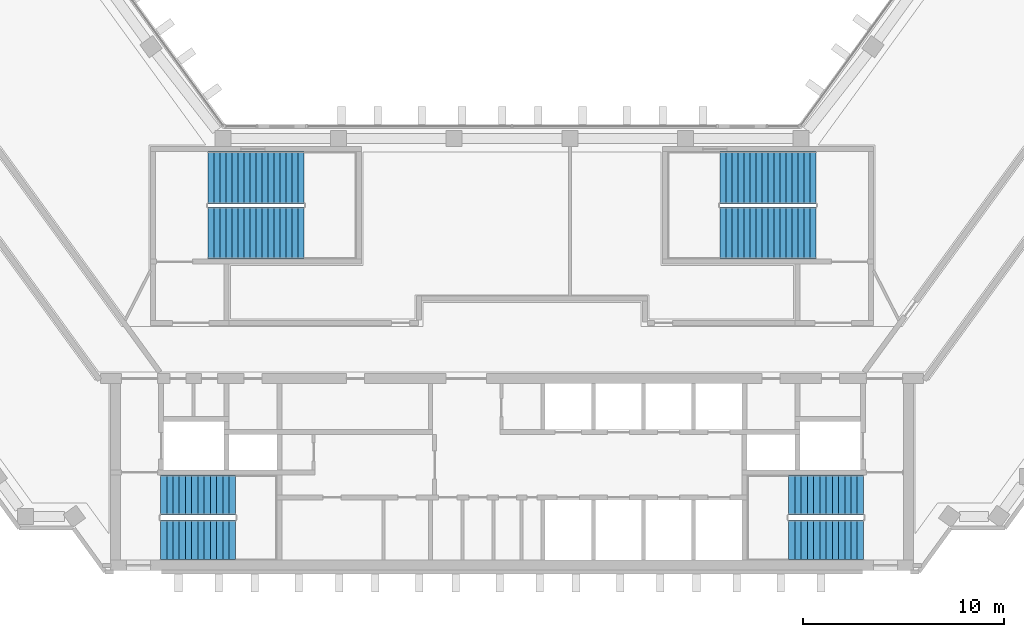
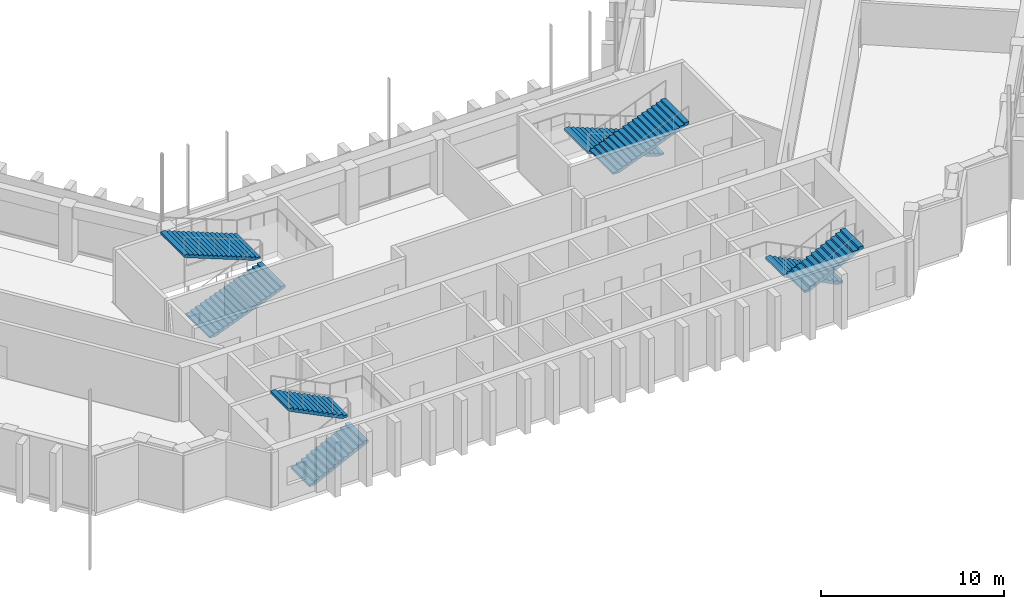
# One storey, part 11 of 13: 8 stair flights, 4 elements without a shape of their own.
"""IFC4 building model written with IfcOpenShell, lengths in metres."""

from ifc_helpers import new_model, si_unit, direction, frame, origin, place, context, subcontext, project, spatial, polyline, outline, extrude, material, type_object, element, aggregate, save


model = new_model("IFC4")

# Units and contexts
model_context = context("Model", 3, precision=1e-05, world=origin(), true_north=direction((0.0, 1.0)))
body_context = subcontext(model_context, "Body", "Model", "MODEL_VIEW")
ifc_project = project(units=[si_unit("LENGTHUNIT", "METRE"), si_unit("AREAUNIT", "SQUARE_METRE"), si_unit("VOLUMEUNIT", "CUBIC_METRE"), si_unit("PLANEANGLEUNIT", "RADIAN"), si_unit("MASSUNIT", "GRAM", prefix="KILO")], contexts=[model_context])

# Site, building, storey
site_placement = place(None, origin())
site = spatial("IfcSite", under=ifc_project, at=site_placement, CompositionType="ELEMENT")
building_placement = place(site_placement, origin())
building = spatial("IfcBuilding", under=site, at=building_placement, Name="Quipu Civic Tower", CompositionType="ELEMENT")
storey_placement = place(building_placement, frame((0.0, 0.0, 172.0)))
storey = spatial("IfcBuildingStorey", under=building, at=storey_placement, Name="L40", CompositionType="ELEMENT", Elevation=172.0)

# Stair, stair flights
ifc_material_1 = material(Name="Concrete C40/50", Category="concrete")
stair_type_1 = type_object("IfcStairType", Name="Half turn stair 2000", PredefinedType="HALF_TURN_STAIR", material=ifc_material_1)
stair_1_placement = place(storey_placement, origin())
stair_1 = element("IfcStair", 1, at=stair_1_placement, inside=storey, type_object=stair_type_1, Name="Exit stair 1", PredefinedType="HALF_TURN_STAIR")
ifc_material_2 = material(Name="Concrete C40/50", Category="concrete")
stair_flight_type_1 = type_object("IfcStairFlightType", Name="Stair flight 2000", PredefinedType="STRAIGHT", material=ifc_material_2)
stair_flight_1_placement = place(storey_placement, frame((-17.5, -9.5, 0.0), z_axis=(0.0, 0.0, 1.0), x_axis=(1.0, 0.0, 0.0)))
stair_flight_1 = element("IfcStairFlight", 2, at=stair_flight_1_placement, type_object=stair_flight_type_1, Name="ST-1 flight 1", NumberOfRisers=13, NumberOfTreads=12, PredefinedType="STRAIGHT", RiserHeight=0.153846154, TreadLength=0.31, context=body_context, shape_type="SweptSolid", body=[
    extrude(outline(polyline([(0.0, 0.0), (0.0, 0.15380859375), (0.31005859375, 0.15380859375), (0.31005859375, 0.3076171875), (0.6201171875, 0.3076171875), (0.6201171875, 0.46142578125), (0.929931640625, 0.46142578125), (0.929931640625, 0.615478515625), (1.239990234375, 0.615478515625), (1.239990234375, 0.769287109375), (1.550048828125, 0.769287109375), (1.550048828125, 0.923095703125), (1.860107421875, 0.923095703125), (1.860107421875, 1.076904296875), (2.169921875, 1.076904296875), (2.169921875, 1.230712890625), (2.47998046875, 1.230712890625), (2.47998046875, 1.384521484375), (2.7900390625, 1.384521484375), (2.7900390625, 1.53857421875), (3.10009765625, 1.53857421875), (3.10009765625, 1.6923828125), (3.409912109375, 1.6923828125), (3.409912109375, 1.84619140625), (3.719970703125, 1.84619140625), (3.719970703125, 2.0), (3.719970703125, 1.6787109375), (0.337158203125, 0.0), (0.0, 0.0)])), frame((0.0, 1.0, 0.0), z_axis=(0.0, -1.0, 0.0), x_axis=(1.0, 0.0, 0.0)), (0.0, 0.0, 1.0), 2.0),
])
stair_flight_2_placement = place(storey_placement, frame((-13.780029296875, -7.25, 2.0), z_axis=(0.0, 0.0, 1.0), x_axis=(-1.0, 0.0, 0.0)))
stair_flight_2 = element("IfcStairFlight", 3, at=stair_flight_2_placement, type_object=stair_flight_type_1, Name="ST-1 flight 2", NumberOfRisers=13, NumberOfTreads=12, PredefinedType="STRAIGHT", RiserHeight=0.153846154, TreadLength=0.31, context=body_context, shape_type="SweptSolid", body=[
    extrude(outline(polyline([(0.0, 0.0), (0.0, 0.15380859375), (0.31005859375, 0.15380859375), (0.31005859375, 0.3076171875), (0.6201171875, 0.3076171875), (0.6201171875, 0.46142578125), (0.929931640625, 0.46142578125), (0.929931640625, 0.615478515625), (1.239990234375, 0.615478515625), (1.239990234375, 0.769287109375), (1.550048828125, 0.769287109375), (1.550048828125, 0.923095703125), (1.860107421875, 0.923095703125), (1.860107421875, 1.076904296875), (2.169921875, 1.076904296875), (2.169921875, 1.230712890625), (2.47998046875, 1.230712890625), (2.47998046875, 1.384521484375), (2.7900390625, 1.384521484375), (2.7900390625, 1.53857421875), (3.10009765625, 1.53857421875), (3.10009765625, 1.6923828125), (3.409912109375, 1.6923828125), (3.409912109375, 1.84619140625), (3.719970703125, 1.84619140625), (3.719970703125, 2.0), (3.719970703125, 1.6787109375), (0.337158203125, 0.0), (0.0, 0.0)])), frame((0.0, 1.0, 0.0), z_axis=(0.0, -1.0, 0.0), x_axis=(1.0, 0.0, 0.0)), (0.0, 0.0, 1.0), 2.0),
])
aggregate(stair_1, [stair_flight_1, stair_flight_2])

stair_2_placement = place(storey_placement, origin())
stair_2 = element("IfcStair", 4, at=stair_2_placement, inside=storey, type_object=stair_type_1, Name="Exit stair 2", PredefinedType="HALF_TURN_STAIR")
stair_flight_3_placement = place(storey_placement, frame((17.5, -7.25, 0.0), z_axis=(0.0, 0.0, 1.0), x_axis=(-1.0, 0.0, 0.0)))
stair_flight_3 = element("IfcStairFlight", 5, at=stair_flight_3_placement, type_object=stair_flight_type_1, Name="ST-2 flight 1", NumberOfRisers=13, NumberOfTreads=12, PredefinedType="STRAIGHT", RiserHeight=0.153846154, TreadLength=0.31, context=body_context, shape_type="SweptSolid", body=[
    extrude(outline(polyline([(0.0, 0.0), (0.0, 0.15380859375), (0.31005859375, 0.15380859375), (0.31005859375, 0.3076171875), (0.6201171875, 0.3076171875), (0.6201171875, 0.46142578125), (0.929931640625, 0.46142578125), (0.929931640625, 0.615478515625), (1.239990234375, 0.615478515625), (1.239990234375, 0.769287109375), (1.550048828125, 0.769287109375), (1.550048828125, 0.923095703125), (1.860107421875, 0.923095703125), (1.860107421875, 1.076904296875), (2.169921875, 1.076904296875), (2.169921875, 1.230712890625), (2.47998046875, 1.230712890625), (2.47998046875, 1.384521484375), (2.7900390625, 1.384521484375), (2.7900390625, 1.53857421875), (3.10009765625, 1.53857421875), (3.10009765625, 1.6923828125), (3.409912109375, 1.6923828125), (3.409912109375, 1.84619140625), (3.719970703125, 1.84619140625), (3.719970703125, 2.0), (3.719970703125, 1.6787109375), (0.337158203125, 0.0), (0.0, 0.0)])), frame((0.0, 1.0, 0.0), z_axis=(0.0, -1.0, 0.0), x_axis=(1.0, 0.0, 0.0)), (0.0, 0.0, 1.0), 2.0),
])
stair_flight_4_placement = place(storey_placement, frame((13.780029296875, -9.5, 2.0), z_axis=(0.0, 0.0, 1.0), x_axis=(1.0, 0.0, 0.0)))
stair_flight_4 = element("IfcStairFlight", 6, at=stair_flight_4_placement, type_object=stair_flight_type_1, Name="ST-2 flight 2", NumberOfRisers=13, NumberOfTreads=12, PredefinedType="STRAIGHT", RiserHeight=0.153846154, TreadLength=0.31, context=body_context, shape_type="SweptSolid", body=[
    extrude(outline(polyline([(0.0, 0.0), (0.0, 0.15380859375), (0.31005859375, 0.15380859375), (0.31005859375, 0.3076171875), (0.6201171875, 0.3076171875), (0.6201171875, 0.46142578125), (0.929931640625, 0.46142578125), (0.929931640625, 0.615478515625), (1.239990234375, 0.615478515625), (1.239990234375, 0.769287109375), (1.550048828125, 0.769287109375), (1.550048828125, 0.923095703125), (1.860107421875, 0.923095703125), (1.860107421875, 1.076904296875), (2.169921875, 1.076904296875), (2.169921875, 1.230712890625), (2.47998046875, 1.230712890625), (2.47998046875, 1.384521484375), (2.7900390625, 1.384521484375), (2.7900390625, 1.53857421875), (3.10009765625, 1.53857421875), (3.10009765625, 1.6923828125), (3.409912109375, 1.6923828125), (3.409912109375, 1.84619140625), (3.719970703125, 1.84619140625), (3.719970703125, 2.0), (3.719970703125, 1.6787109375), (0.337158203125, 0.0), (0.0, 0.0)])), frame((0.0, 1.0, 0.0), z_axis=(0.0, -1.0, 0.0), x_axis=(1.0, 0.0, 0.0)), (0.0, 0.0, 1.0), 2.0),
])
aggregate(stair_2, [stair_flight_3, stair_flight_4])

ifc_material_3 = material(Name="Concrete C40/50", Category="concrete")
stair_type_2 = type_object("IfcStairType", Name="Half turn stair 2600", PredefinedType="HALF_TURN_STAIR", material=ifc_material_3)
stair_3_placement = place(storey_placement, origin())
stair_3 = element("IfcStair", 7, at=stair_3_placement, inside=storey, type_object=stair_type_2, Name="Exit stair 3", PredefinedType="HALF_TURN_STAIR")
ifc_material_4 = material(Name="Concrete C40/50", Category="concrete")
stair_flight_type_2 = type_object("IfcStairFlightType", Name="Stair flight 2600", PredefinedType="STRAIGHT", material=ifc_material_4)
stair_flight_5_placement = place(storey_placement, frame((-15.14990234375, 5.800048828125, 0.0), z_axis=(0.0, 0.0, 1.0), x_axis=(1.0, 0.0, 0.0)))
stair_flight_5 = element("IfcStairFlight", 8, at=stair_flight_5_placement, type_object=stair_flight_type_2, Name="ST-3 flight 1", NumberOfRisers=17, NumberOfTreads=16, PredefinedType="STRAIGHT", RiserHeight=0.117647059, TreadLength=0.3, context=body_context, shape_type="SweptSolid", body=[
    extrude(outline(polyline([(0.0, 0.0), (0.0, 0.11767578125), (0.300048828125, 0.11767578125), (0.300048828125, 0.2353515625), (0.60009765625, 0.2353515625), (0.60009765625, 0.35302734375), (0.89990234375, 0.35302734375), (0.89990234375, 0.470703125), (1.199951171875, 0.470703125), (1.199951171875, 0.588134765625), (1.5, 0.588134765625), (1.5, 0.705810546875), (1.800048828125, 0.705810546875), (1.800048828125, 0.823486328125), (2.10009765625, 0.823486328125), (2.10009765625, 0.941162109375), (2.39990234375, 0.941162109375), (2.39990234375, 1.058837890625), (2.699951171875, 1.058837890625), (2.699951171875, 1.176513671875), (3.0, 1.176513671875), (3.0, 1.294189453125), (3.300048828125, 1.294189453125), (3.300048828125, 1.411865234375), (3.60009765625, 1.411865234375), (3.60009765625, 1.529296875), (3.89990234375, 1.529296875), (3.89990234375, 1.64697265625), (4.199951171875, 1.64697265625), (4.199951171875, 1.7646484375), (4.5, 1.7646484375), (4.5, 1.88232421875), (4.800048828125, 1.88232421875), (4.800048828125, 2.0), (4.800048828125, 1.721435546875), (0.41064453125, 0.0), (0.0, 0.0)])), frame((0.0, 1.300048828125, 0.0), z_axis=(0.0, -1.0, 0.0), x_axis=(1.0, 0.0, 0.0)), (0.0, 0.0, 1.0), 2.60009765625),
])
stair_flight_6_placement = place(storey_placement, frame((-10.35009765625, 8.550048828125, 2.0), z_axis=(0.0, 0.0, 1.0), x_axis=(-1.0, 0.0, 0.0)))
stair_flight_6 = element("IfcStairFlight", 9, at=stair_flight_6_placement, type_object=stair_flight_type_2, Name="ST-3 flight 2", NumberOfRisers=17, NumberOfTreads=16, PredefinedType="STRAIGHT", RiserHeight=0.117647059, TreadLength=0.3, context=body_context, shape_type="SweptSolid", body=[
    extrude(outline(polyline([(0.0, 0.0), (0.0, 0.11767578125), (0.300048828125, 0.11767578125), (0.300048828125, 0.2353515625), (0.60009765625, 0.2353515625), (0.60009765625, 0.35302734375), (0.89990234375, 0.35302734375), (0.89990234375, 0.470703125), (1.199951171875, 0.470703125), (1.199951171875, 0.588134765625), (1.5, 0.588134765625), (1.5, 0.705810546875), (1.800048828125, 0.705810546875), (1.800048828125, 0.823486328125), (2.10009765625, 0.823486328125), (2.10009765625, 0.941162109375), (2.39990234375, 0.941162109375), (2.39990234375, 1.058837890625), (2.699951171875, 1.058837890625), (2.699951171875, 1.176513671875), (3.0, 1.176513671875), (3.0, 1.294189453125), (3.300048828125, 1.294189453125), (3.300048828125, 1.411865234375), (3.60009765625, 1.411865234375), (3.60009765625, 1.529296875), (3.89990234375, 1.529296875), (3.89990234375, 1.64697265625), (4.199951171875, 1.64697265625), (4.199951171875, 1.7646484375), (4.5, 1.7646484375), (4.5, 1.88232421875), (4.800048828125, 1.88232421875), (4.800048828125, 2.0), (4.800048828125, 1.721435546875), (0.41064453125, 0.0), (0.0, 0.0)])), frame((0.0, 1.300048828125, 0.0), z_axis=(0.0, -1.0, 0.0), x_axis=(1.0, 0.0, 0.0)), (0.0, 0.0, 1.0), 2.60009765625),
])
aggregate(stair_3, [stair_flight_5, stair_flight_6])

stair_4_placement = place(storey_placement, origin())
stair_4 = element("IfcStair", 10, at=stair_4_placement, inside=storey, type_object=stair_type_2, Name="Exit stair 4", PredefinedType="HALF_TURN_STAIR")
stair_flight_7_placement = place(storey_placement, frame((15.14990234375, 8.550048828125, 0.0), z_axis=(0.0, 0.0, 1.0), x_axis=(-1.0, 0.0, 0.0)))
stair_flight_7 = element("IfcStairFlight", 11, at=stair_flight_7_placement, type_object=stair_flight_type_2, Name="ST-4 flight 1", NumberOfRisers=17, NumberOfTreads=16, PredefinedType="STRAIGHT", RiserHeight=0.117647059, TreadLength=0.3, context=body_context, shape_type="SweptSolid", body=[
    extrude(outline(polyline([(0.0, 0.0), (0.0, 0.11767578125), (0.300048828125, 0.11767578125), (0.300048828125, 0.2353515625), (0.60009765625, 0.2353515625), (0.60009765625, 0.35302734375), (0.89990234375, 0.35302734375), (0.89990234375, 0.470703125), (1.199951171875, 0.470703125), (1.199951171875, 0.588134765625), (1.5, 0.588134765625), (1.5, 0.705810546875), (1.800048828125, 0.705810546875), (1.800048828125, 0.823486328125), (2.10009765625, 0.823486328125), (2.10009765625, 0.941162109375), (2.39990234375, 0.941162109375), (2.39990234375, 1.058837890625), (2.699951171875, 1.058837890625), (2.699951171875, 1.176513671875), (3.0, 1.176513671875), (3.0, 1.294189453125), (3.300048828125, 1.294189453125), (3.300048828125, 1.411865234375), (3.60009765625, 1.411865234375), (3.60009765625, 1.529296875), (3.89990234375, 1.529296875), (3.89990234375, 1.64697265625), (4.199951171875, 1.64697265625), (4.199951171875, 1.7646484375), (4.5, 1.7646484375), (4.5, 1.88232421875), (4.800048828125, 1.88232421875), (4.800048828125, 2.0), (4.800048828125, 1.721435546875), (0.41064453125, 0.0), (0.0, 0.0)])), frame((0.0, 1.300048828125, 0.0), z_axis=(0.0, -1.0, 0.0), x_axis=(1.0, 0.0, 0.0)), (0.0, 0.0, 1.0), 2.60009765625),
])
stair_flight_8_placement = place(storey_placement, frame((10.35009765625, 5.800048828125, 2.0), z_axis=(0.0, 0.0, 1.0), x_axis=(1.0, 0.0, 0.0)))
stair_flight_8 = element("IfcStairFlight", 12, at=stair_flight_8_placement, type_object=stair_flight_type_2, Name="ST-4 flight 2", NumberOfRisers=17, NumberOfTreads=16, PredefinedType="STRAIGHT", RiserHeight=0.117647059, TreadLength=0.3, context=body_context, shape_type="SweptSolid", body=[
    extrude(outline(polyline([(0.0, 0.0), (0.0, 0.11767578125), (0.300048828125, 0.11767578125), (0.300048828125, 0.2353515625), (0.60009765625, 0.2353515625), (0.60009765625, 0.35302734375), (0.89990234375, 0.35302734375), (0.89990234375, 0.470703125), (1.199951171875, 0.470703125), (1.199951171875, 0.588134765625), (1.5, 0.588134765625), (1.5, 0.705810546875), (1.800048828125, 0.705810546875), (1.800048828125, 0.823486328125), (2.10009765625, 0.823486328125), (2.10009765625, 0.941162109375), (2.39990234375, 0.941162109375), (2.39990234375, 1.058837890625), (2.699951171875, 1.058837890625), (2.699951171875, 1.176513671875), (3.0, 1.176513671875), (3.0, 1.294189453125), (3.300048828125, 1.294189453125), (3.300048828125, 1.411865234375), (3.60009765625, 1.411865234375), (3.60009765625, 1.529296875), (3.89990234375, 1.529296875), (3.89990234375, 1.64697265625), (4.199951171875, 1.64697265625), (4.199951171875, 1.7646484375), (4.5, 1.7646484375), (4.5, 1.88232421875), (4.800048828125, 1.88232421875), (4.800048828125, 2.0), (4.800048828125, 1.721435546875), (0.41064453125, 0.0), (0.0, 0.0)])), frame((0.0, 1.300048828125, 0.0), z_axis=(0.0, -1.0, 0.0), x_axis=(1.0, 0.0, 0.0)), (0.0, 0.0, 1.0), 2.60009765625),
])
aggregate(stair_4, [stair_flight_7, stair_flight_8])

save(model, "model.ifc")
